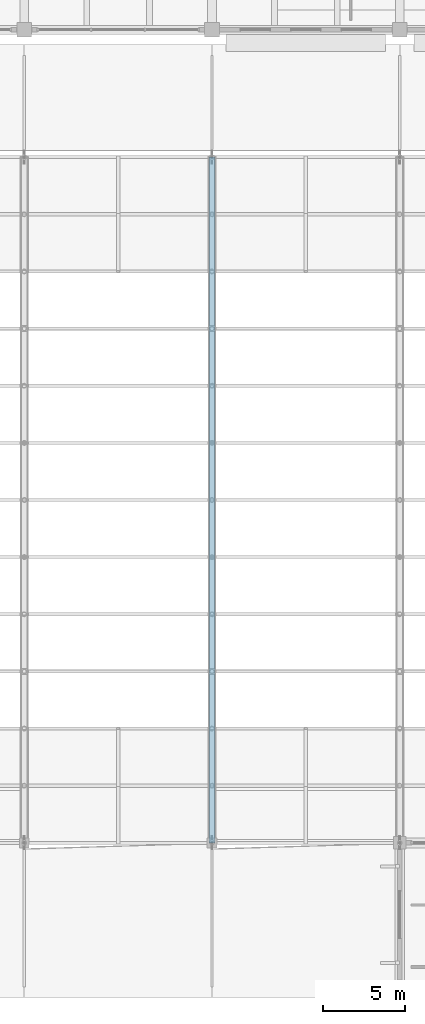
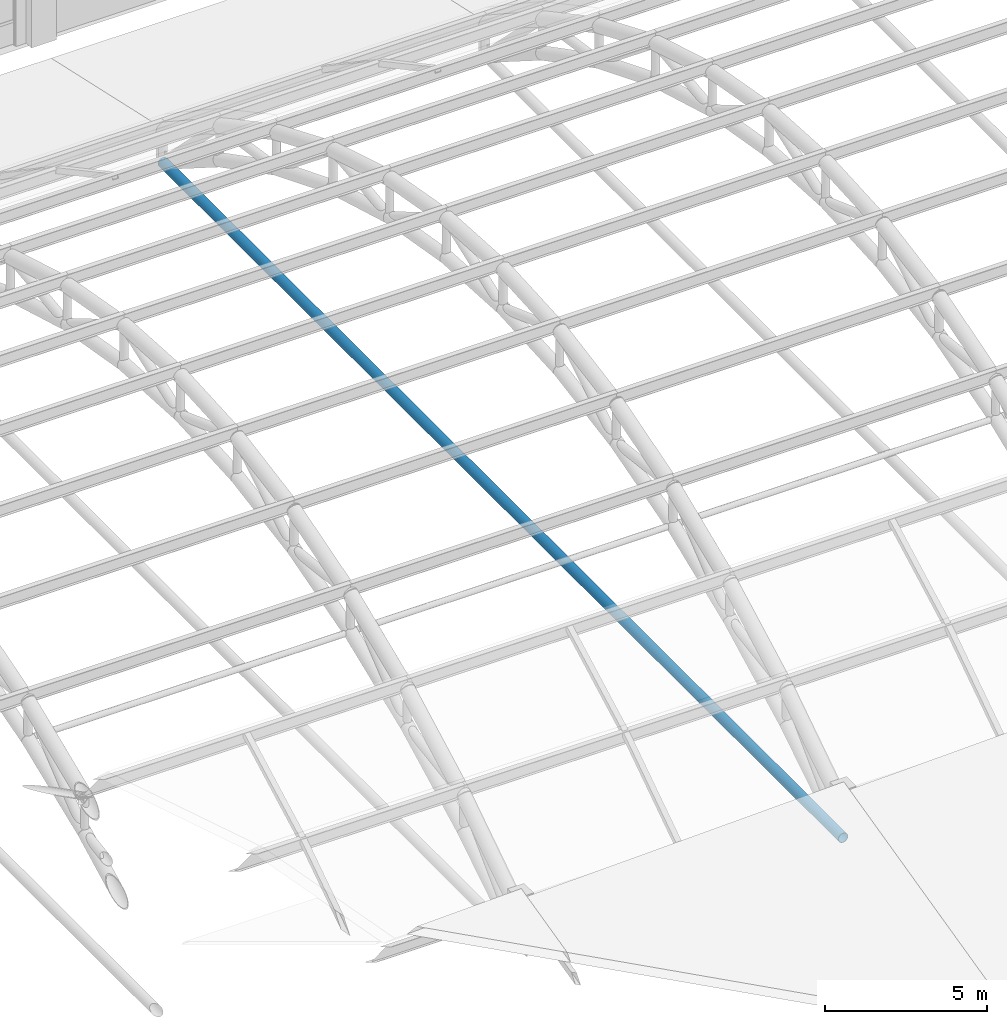
# One storey, part 23 of 154: 1 member.
"""IFC4 building model written with IfcOpenShell, lengths in metres."""

from ifc_helpers import new_model, si_unit, direction, frame, origin, origin_2d, place, context, subcontext, project, spatial, hollow_circle, extrude, material, material_profile, profile_set, type_object, element, save


model = new_model("IFC4")

# Units and contexts
model_context = context("Model", 3, precision=1e-05, world=origin(), true_north=direction((0.0, 1.0)))
body_context = subcontext(model_context, "Body", "Model", "MODEL_VIEW")
ifc_project = project(units=[si_unit("LENGTHUNIT", "METRE"), si_unit("AREAUNIT", "SQUARE_METRE"), si_unit("VOLUMEUNIT", "CUBIC_METRE"), si_unit("PLANEANGLEUNIT", "RADIAN"), si_unit("MASSUNIT", "GRAM", prefix="KILO")], contexts=[model_context])

# Site, building, storey
site_placement = place(None, origin())
site = spatial("IfcSite", under=ifc_project, at=site_placement, CompositionType="ELEMENT")
building_placement = place(site_placement, origin())
building = spatial("IfcBuilding", under=site, at=building_placement, Name="Ologun Quay Terminus", CompositionType="ELEMENT")
storey_placement = place(building_placement, frame((0.0, 0.0, 13.800048828125)))
storey = spatial("IfcBuildingStorey", under=building, at=storey_placement, Name="L03", CompositionType="ELEMENT", Elevation=13.800048828125)

# Member
ifc_material = material(Name="Steel S355", Category="steel")
ifc_material_profile = material_profile(ifc_material, hollow_circle(Radius=0.177734375, WallThickness=0.012451171875, at=origin_2d()), Name="CHS 355.6x12.5")
ifc_profile_set = profile_set([ifc_material_profile], Name="Steel S355")
member_type = type_object("IfcMemberType", Name="Arch Horizontal Tie Chord CHS355", PredefinedType="CHORD", material=ifc_profile_set)
member_placement = place(storey_placement, frame((46.0, 36.0, 0.0), z_axis=(0.0, 1.0, 0.0), x_axis=(-1.0, 0.0, 0.0)))
element("IfcMember", 1, at=member_placement, inside=storey, type_object=member_type, Name="AT1 Arch Tie Chord Grid 5", PredefinedType="CHORD", context=body_context, shape_type="SweptSolid", body=[
    extrude(hollow_circle(Radius=0.177734375, WallThickness=0.012451171875, at=origin_2d()), origin(), (0.0, 0.0, 1.0), 42.0),
])

save(model, "model.ifc")
